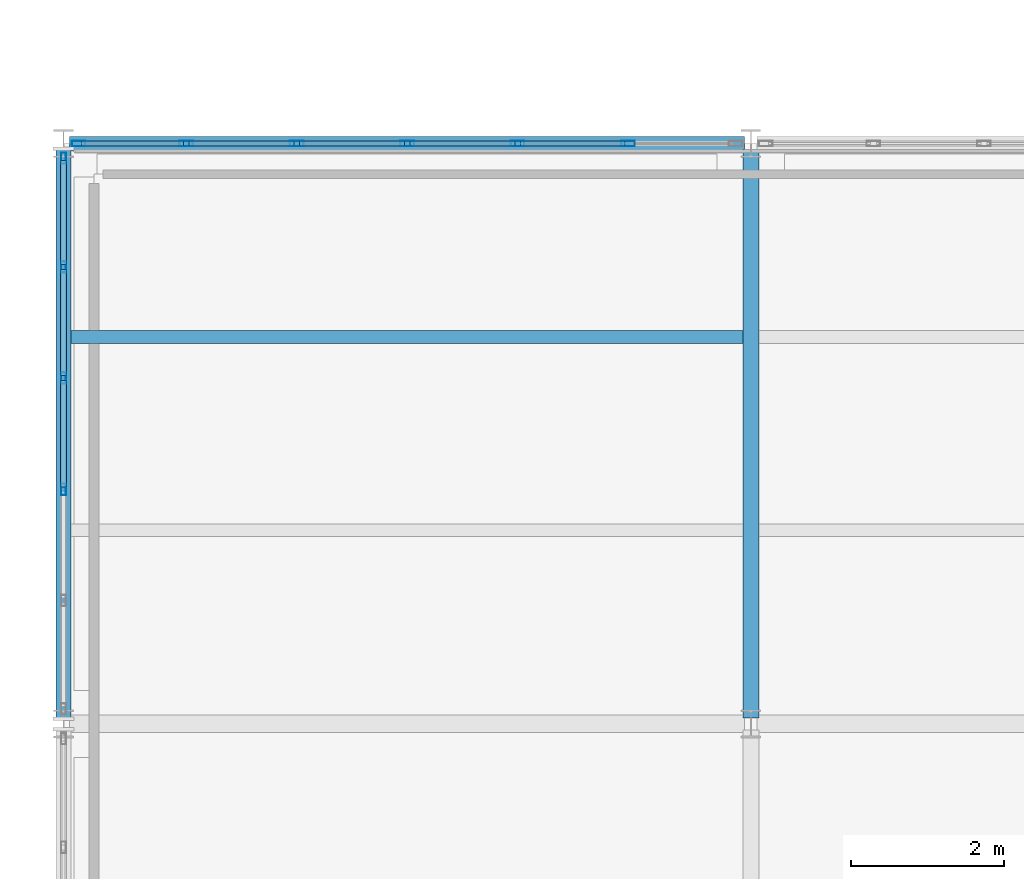
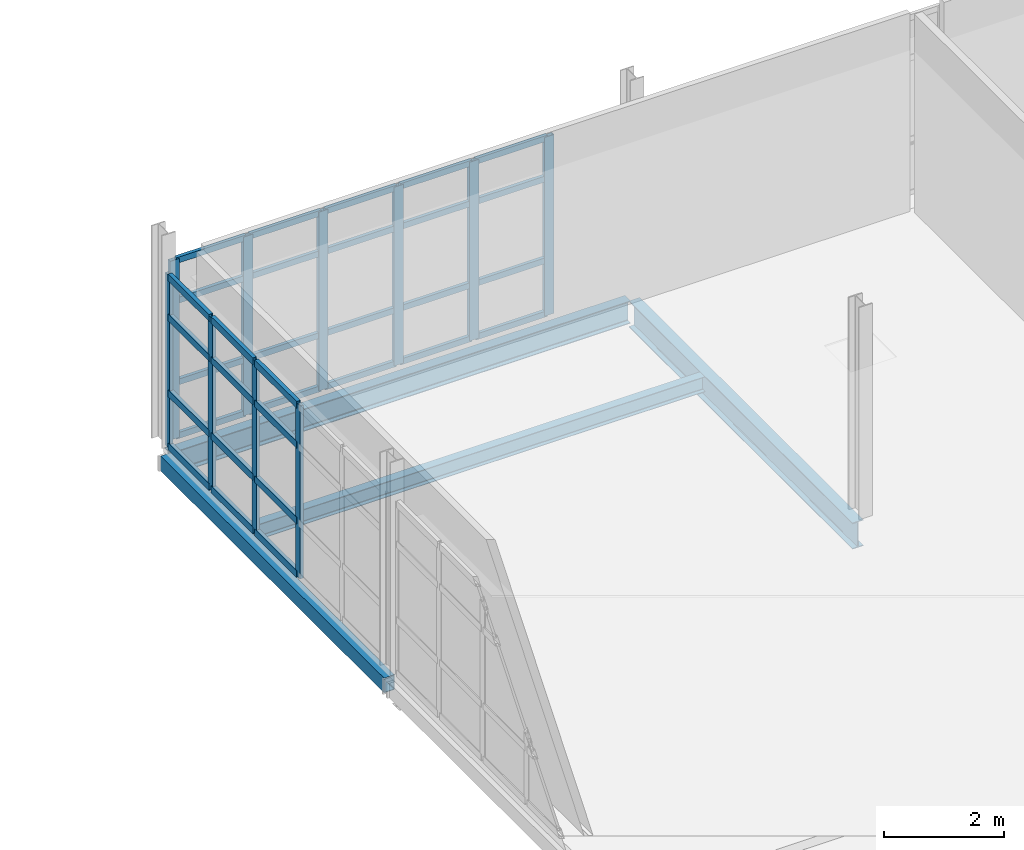
# One storey, part 42 of 174: 42 members, 4 beams, 2 elements without a shape of their own.
"""IFC4 building model written with IfcOpenShell, lengths in metres."""

from ifc_helpers import new_model, si_unit, direction, frame, origin, origin_2d, place, context, subcontext, project, spatial, hollow_rectangle, i_section, extrude, material, material_profile, profile_set, type_object, element, aggregate, save


model = new_model("IFC4")

# Units and contexts
model_context = context("Model", 3, precision=1e-05, world=origin(), true_north=direction((0.0, 1.0)))
body_context = subcontext(model_context, "Body", "Model", "MODEL_VIEW")
ifc_project = project(units=[si_unit("LENGTHUNIT", "METRE"), si_unit("AREAUNIT", "SQUARE_METRE"), si_unit("VOLUMEUNIT", "CUBIC_METRE"), si_unit("PLANEANGLEUNIT", "RADIAN"), si_unit("MASSUNIT", "GRAM", prefix="KILO")], contexts=[model_context])

# Site, building, storey
site_placement = place(None, origin())
site = spatial("IfcSite", under=ifc_project, at=site_placement, CompositionType="ELEMENT")
building_placement = place(site_placement, origin())
building = spatial("IfcBuilding", under=site, at=building_placement, Name="Caisbarro Railhouse Central Library", CompositionType="ELEMENT")
storey_placement = place(building_placement, frame((0.0, 0.0, 5.0400390625)))
storey = spatial("IfcBuildingStorey", under=building, at=storey_placement, Name="L01", CompositionType="ELEMENT", Elevation=5.0400390625)

# Beams
ifc_material_1 = material(Name="Steel ASTM A572 Grade 50", Category="steel")
ifc_material_profile_1 = material_profile(ifc_material_1, i_section(OverallWidth=0.208984375, OverallDepth=0.532958984375, WebThickness=0.01025390625, FlangeThickness=0.015625, FilletRadius=0.02001953125, at=origin_2d()), Name="W530X92.0")
ifc_profile_set_1 = profile_set([ifc_material_profile_1], Name="Steel ASTM A572 Grade 50")
beam_type_1 = type_object("IfcBeamType", Name="BM-G06", PredefinedType="BEAM", material=ifc_profile_set_1)
beam_1_placement = place(storey_placement, frame((9.0, 53.280029296875, -0.486572265625), z_axis=(0.0, 1.0, 0.0), x_axis=(-1.0, 0.0, 0.0)))
element("IfcBeam", 1, at=beam_1_placement, inside=storey, type_object=beam_type_1, Name="G06 beam L01 #832", PredefinedType="BEAM", context=body_context, shape_type="SweptSolid", body=[
    extrude(i_section(OverallWidth=0.208984375, OverallDepth=0.532958984375, WebThickness=0.01025390625, FlangeThickness=0.015625, FilletRadius=0.02001953125, at=origin_2d()), origin(), (0.0, 0.0, 1.0), 7.43994140625),
])
ifc_material_profile_2 = material_profile(ifc_material_1, i_section(OverallWidth=0.1650390625, OverallDepth=0.31005859375, WebThickness=0.005859375, FlangeThickness=0.009765625, FilletRadius=0.011962890625, at=origin_2d()), Name="W310X38.7")
ifc_profile_set_2 = profile_set([ifc_material_profile_2], Name="Steel ASTM A572 Grade 50")
beam_type_2 = type_object("IfcBeamType", Name="BM-J03", PredefinedType="JOIST", material=ifc_profile_set_2)
beam_2_placement = place(storey_placement, frame((0.10009765625, 58.2666015625, -0.375), z_axis=(1.0, 0.0, 0.0), x_axis=(0.0, 1.0, 0.0)))
element("IfcBeam", 2, at=beam_2_placement, inside=storey, type_object=beam_type_2, Name="J03 beam L01 #862", PredefinedType="JOIST", context=body_context, shape_type="SweptSolid", body=[
    extrude(i_section(OverallWidth=0.1650390625, OverallDepth=0.31005859375, WebThickness=0.005859375, FlangeThickness=0.009765625, FilletRadius=0.011962890625, at=origin_2d()), origin(), (0.0, 0.0, 1.0), 8.79541015625),
])
ifc_material_profile_3 = material_profile(ifc_material_1, i_section(OverallWidth=0.18994140625, OverallDepth=0.45703125, WebThickness=0.009033203125, FlangeThickness=0.014404296875, FilletRadius=0.01806640625, at=origin_2d()), Name="W460X74.0")
ifc_profile_set_3 = profile_set([ifc_material_profile_3], Name="Steel ASTM A572 Grade 50")
beam_type_3 = type_object("IfcBeamType", Name="BM-SP01", PredefinedType="SPANDREL", material=ifc_profile_set_3)
beam_3_placement = place(storey_placement, frame((0.080078125, 60.800048828125, -0.448486328125), z_axis=(1.0, 0.0, 0.0), x_axis=(0.0, 1.0, 0.0)))
element("IfcBeam", 3, at=beam_3_placement, inside=storey, type_object=beam_type_3, Name="SP01 beam L01 #817", PredefinedType="SPANDREL", context=body_context, shape_type="SweptSolid", body=[
    extrude(i_section(OverallWidth=0.18994140625, OverallDepth=0.45703125, WebThickness=0.009033203125, FlangeThickness=0.014404296875, FilletRadius=0.01806640625, at=origin_2d()), origin(), (0.0, 0.0, 1.0), 8.83984375),
])
ifc_material_profile_4 = material_profile(ifc_material_1, hollow_rectangle(XDim=0.199951171875, YDim=0.300048828125, WallThickness=0.012451171875, at=origin_2d()), Name="HSS300X200X12.5")
ifc_profile_set_4 = profile_set([ifc_material_profile_4], Name="Steel ASTM A572 Grade 50")
beam_type_4 = type_object("IfcBeamType", Name="BM-SP02", PredefinedType="SPANDREL", material=ifc_profile_set_4)
beam_4_placement = place(storey_placement, frame((0.0, 53.280029296875, -0.3701171875), z_axis=(0.0, 1.0, 0.0), x_axis=(-1.0, 0.0, 0.0)))
element("IfcBeam", 4, at=beam_4_placement, inside=storey, type_object=beam_type_4, Name="SP02 beam L01 #828", PredefinedType="SPANDREL", context=body_context, shape_type="SweptSolid", body=[
    extrude(hollow_rectangle(XDim=0.199951171875, YDim=0.300048828125, WallThickness=0.012451171875, at=origin_2d()), origin(), (0.0, 0.0, 1.0), 7.43994140625),
])

# Curtain wall, members
ifc_material_2 = material(Name="Anodised architectural aluminium", Category="aluminium")
curtain_wall_type = type_object("IfcCurtainWallType", Name="CW-CW02", PredefinedType="NOTDEFINED", material=ifc_material_2)
curtain_wall_1_placement = place(storey_placement, origin())
curtain_wall_1 = element("IfcCurtainWall", 5, at=curtain_wall_1_placement, inside=storey, type_object=curtain_wall_type, Name="CW02 curtain wall L01 #2", PredefinedType="NOTDEFINED")
ifc_material_profile_5 = material_profile(ifc_material_2, hollow_rectangle(XDim=0.074951171875, YDim=0.179931640625, WallThickness=0.00439453125, at=origin_2d()), Name="ALU-MUL-75X180")
ifc_profile_set_5 = profile_set([ifc_material_profile_5], Name="Anodised architectural aluminium")
member_type_1 = type_object("IfcMemberType", Name="CWM-M01", PredefinedType="MULLION", material=ifc_profile_set_5)
member_1_placement = place(storey_placement, frame((0.197509765625, 60.800048828125, 0.0), z_axis=(0.0, 0.0, 1.0), x_axis=(0.0, 1.0, 0.0)))
member_1 = element("IfcMember", 6, at=member_1_placement, type_object=member_type_1, Name="CW02 mullion 1", PredefinedType="MULLION", context=body_context, shape_type="SweptSolid", body=[
    extrude(hollow_rectangle(XDim=0.074951171875, YDim=0.179931640625, WallThickness=0.00439453125, at=origin_2d()), origin(), (0.0, 0.0, 1.0), 3.6298828125),
])
member_2_placement = place(storey_placement, frame((1.606689453125, 60.800048828125, 0.0), z_axis=(0.0, 0.0, 1.0), x_axis=(0.0, 1.0, 0.0)))
member_2 = element("IfcMember", 7, at=member_2_placement, type_object=member_type_1, Name="CW02 mullion 2", PredefinedType="MULLION", context=body_context, shape_type="SweptSolid", body=[
    extrude(hollow_rectangle(XDim=0.074951171875, YDim=0.179931640625, WallThickness=0.00439453125, at=origin_2d()), origin(), (0.0, 0.0, 1.0), 3.6298828125),
])
member_3_placement = place(storey_placement, frame((3.05322265625, 60.800048828125, 0.0), z_axis=(0.0, 0.0, 1.0), x_axis=(0.0, 1.0, 0.0)))
member_3 = element("IfcMember", 8, at=member_3_placement, type_object=member_type_1, Name="CW02 mullion 3", PredefinedType="MULLION", context=body_context, shape_type="SweptSolid", body=[
    extrude(hollow_rectangle(XDim=0.074951171875, YDim=0.179931640625, WallThickness=0.00439453125, at=origin_2d()), origin(), (0.0, 0.0, 1.0), 3.6298828125),
])
member_4_placement = place(storey_placement, frame((4.5, 60.800048828125, 0.0), z_axis=(0.0, 0.0, 1.0), x_axis=(0.0, 1.0, 0.0)))
member_4 = element("IfcMember", 9, at=member_4_placement, type_object=member_type_1, Name="CW02 mullion 4", PredefinedType="MULLION", context=body_context, shape_type="SweptSolid", body=[
    extrude(hollow_rectangle(XDim=0.074951171875, YDim=0.179931640625, WallThickness=0.00439453125, at=origin_2d()), origin(), (0.0, 0.0, 1.0), 3.6298828125),
])
member_5_placement = place(storey_placement, frame((5.94677734375, 60.800048828125, 0.0), z_axis=(0.0, 0.0, 1.0), x_axis=(0.0, 1.0, 0.0)))
member_5 = element("IfcMember", 10, at=member_5_placement, type_object=member_type_1, Name="CW02 mullion 5", PredefinedType="MULLION", context=body_context, shape_type="SweptSolid", body=[
    extrude(hollow_rectangle(XDim=0.074951171875, YDim=0.179931640625, WallThickness=0.00439453125, at=origin_2d()), origin(), (0.0, 0.0, 1.0), 3.6298828125),
])
member_6_placement = place(storey_placement, frame((7.393310546875, 60.800048828125, 0.0), z_axis=(0.0, 0.0, 1.0), x_axis=(0.0, 1.0, 0.0)))
member_6 = element("IfcMember", 11, at=member_6_placement, type_object=member_type_1, Name="CW02 mullion 6", PredefinedType="MULLION", context=body_context, shape_type="SweptSolid", body=[
    extrude(hollow_rectangle(XDim=0.074951171875, YDim=0.179931640625, WallThickness=0.00439453125, at=origin_2d()), origin(), (0.0, 0.0, 1.0), 3.6298828125),
])

curtain_wall_2_placement = place(storey_placement, origin())
curtain_wall_2 = element("IfcCurtainWall", 12, at=curtain_wall_2_placement, inside=storey, type_object=curtain_wall_type, Name="CW02 curtain wall L01 #29", PredefinedType="NOTDEFINED")
ifc_material_profile_6 = material_profile(ifc_material_2, hollow_rectangle(XDim=0.06494140625, YDim=0.14990234375, WallThickness=0.00390625, at=origin_2d()), Name="ALU-MUL-65X150")
ifc_profile_set_6 = profile_set([ifc_material_profile_6], Name="Anodised architectural aluminium")
member_type_2 = type_object("IfcMemberType", Name="CWM-M02", PredefinedType="MULLION", material=ifc_profile_set_6)
member_7_placement = place(storey_placement, frame((0.0, 56.27197265625, 0.0), z_axis=(0.0, 0.0, 1.0), x_axis=(-1.0, 0.0, 0.0)))
member_7 = element("IfcMember", 13, at=member_7_placement, type_object=member_type_2, Name="CW02 mullion 3", PredefinedType="MULLION", context=body_context, shape_type="SweptSolid", body=[
    extrude(hollow_rectangle(XDim=0.06494140625, YDim=0.14990234375, WallThickness=0.00390625, at=origin_2d()), origin(), (0.0, 0.0, 1.0), 3.510009765625),
])
member_8_placement = place(storey_placement, frame((0.0, 57.72802734375, 0.0), z_axis=(0.0, 0.0, 1.0), x_axis=(-1.0, 0.0, 0.0)))
member_8 = element("IfcMember", 14, at=member_8_placement, type_object=member_type_2, Name="CW02 mullion 4", PredefinedType="MULLION", context=body_context, shape_type="SweptSolid", body=[
    extrude(hollow_rectangle(XDim=0.06494140625, YDim=0.14990234375, WallThickness=0.00390625, at=origin_2d()), origin(), (0.0, 0.0, 1.0), 3.510009765625),
])
member_9_placement = place(storey_placement, frame((0.0, 59.18408203125, 0.0), z_axis=(0.0, 0.0, 1.0), x_axis=(-1.0, 0.0, 0.0)))
member_9 = element("IfcMember", 15, at=member_9_placement, type_object=member_type_2, Name="CW02 mullion 5", PredefinedType="MULLION", context=body_context, shape_type="SweptSolid", body=[
    extrude(hollow_rectangle(XDim=0.06494140625, YDim=0.14990234375, WallThickness=0.00390625, at=origin_2d()), origin(), (0.0, 0.0, 1.0), 3.510009765625),
])
member_10_placement = place(storey_placement, frame((0.0, 60.607421875, 0.0), z_axis=(0.0, 0.0, 1.0), x_axis=(-1.0, 0.0, 0.0)))
member_10 = element("IfcMember", 16, at=member_10_placement, type_object=member_type_2, Name="CW02 mullion 6", PredefinedType="MULLION", context=body_context, shape_type="SweptSolid", body=[
    extrude(hollow_rectangle(XDim=0.06494140625, YDim=0.14990234375, WallThickness=0.00390625, at=origin_2d()), origin(), (0.0, 0.0, 1.0), 3.510009765625),
])
ifc_material_profile_7 = material_profile(ifc_material_2, hollow_rectangle(XDim=0.074951171875, YDim=0.139892578125, WallThickness=0.00390625, at=origin_2d()), Name="ALU-TRN-75X140")
ifc_profile_set_7 = profile_set([ifc_material_profile_7], Name="Anodised architectural aluminium")
member_type_3 = type_object("IfcMemberType", Name="CWT-T01", PredefinedType="USERDEFINED", material=ifc_profile_set_7)
member_11_placement = place(storey_placement, frame((0.0, 56.304443359375, 0.037353515625), z_axis=(0.0, 1.0, 0.0), x_axis=(-1.0, 0.0, 0.0)))
member_11 = element("IfcMember", 17, at=member_11_placement, type_object=member_type_3, Name="CW02 transom 3.1", ObjectType="TRANSOM", PredefinedType="USERDEFINED", context=body_context, shape_type="SweptSolid", body=[
    extrude(hollow_rectangle(XDim=0.074951171875, YDim=0.139892578125, WallThickness=0.00390625, at=origin_2d()), origin(), (0.0, 0.0, 1.0), 1.39111328125),
])
member_12_placement = place(storey_placement, frame((0.0, 56.304443359375, 1.119873046875), z_axis=(0.0, 1.0, 0.0), x_axis=(-1.0, 0.0, 0.0)))
member_12 = element("IfcMember", 18, at=member_12_placement, type_object=member_type_3, Name="CW02 transom 3.2", ObjectType="TRANSOM", PredefinedType="USERDEFINED", context=body_context, shape_type="SweptSolid", body=[
    extrude(hollow_rectangle(XDim=0.074951171875, YDim=0.139892578125, WallThickness=0.00390625, at=origin_2d()), origin(), (0.0, 0.0, 1.0), 1.39111328125),
])
member_13_placement = place(storey_placement, frame((0.0, 56.304443359375, 2.659912109375), z_axis=(0.0, 1.0, 0.0), x_axis=(-1.0, 0.0, 0.0)))
member_13 = element("IfcMember", 19, at=member_13_placement, type_object=member_type_3, Name="CW02 transom 3.3", ObjectType="TRANSOM", PredefinedType="USERDEFINED", context=body_context, shape_type="SweptSolid", body=[
    extrude(hollow_rectangle(XDim=0.074951171875, YDim=0.139892578125, WallThickness=0.00390625, at=origin_2d()), origin(), (0.0, 0.0, 1.0), 1.39111328125),
])
member_14_placement = place(storey_placement, frame((0.0, 56.304443359375, 3.472412109375), z_axis=(0.0, 1.0, 0.0), x_axis=(-1.0, 0.0, 0.0)))
member_14 = element("IfcMember", 20, at=member_14_placement, type_object=member_type_3, Name="CW02 transom 3.4", ObjectType="TRANSOM", PredefinedType="USERDEFINED", context=body_context, shape_type="SweptSolid", body=[
    extrude(hollow_rectangle(XDim=0.074951171875, YDim=0.139892578125, WallThickness=0.00390625, at=origin_2d()), origin(), (0.0, 0.0, 1.0), 1.39111328125),
])
member_15_placement = place(storey_placement, frame((0.0, 57.760498046875, 0.037353515625), z_axis=(0.0, 1.0, 0.0), x_axis=(-1.0, 0.0, 0.0)))
member_15 = element("IfcMember", 21, at=member_15_placement, type_object=member_type_3, Name="CW02 transom 4.1", ObjectType="TRANSOM", PredefinedType="USERDEFINED", context=body_context, shape_type="SweptSolid", body=[
    extrude(hollow_rectangle(XDim=0.074951171875, YDim=0.139892578125, WallThickness=0.00390625, at=origin_2d()), origin(), (0.0, 0.0, 1.0), 1.39111328125),
])
member_16_placement = place(storey_placement, frame((0.0, 57.760498046875, 1.119873046875), z_axis=(0.0, 1.0, 0.0), x_axis=(-1.0, 0.0, 0.0)))
member_16 = element("IfcMember", 22, at=member_16_placement, type_object=member_type_3, Name="CW02 transom 4.2", ObjectType="TRANSOM", PredefinedType="USERDEFINED", context=body_context, shape_type="SweptSolid", body=[
    extrude(hollow_rectangle(XDim=0.074951171875, YDim=0.139892578125, WallThickness=0.00390625, at=origin_2d()), origin(), (0.0, 0.0, 1.0), 1.39111328125),
])
member_17_placement = place(storey_placement, frame((0.0, 57.760498046875, 2.659912109375), z_axis=(0.0, 1.0, 0.0), x_axis=(-1.0, 0.0, 0.0)))
member_17 = element("IfcMember", 23, at=member_17_placement, type_object=member_type_3, Name="CW02 transom 4.3", ObjectType="TRANSOM", PredefinedType="USERDEFINED", context=body_context, shape_type="SweptSolid", body=[
    extrude(hollow_rectangle(XDim=0.074951171875, YDim=0.139892578125, WallThickness=0.00390625, at=origin_2d()), origin(), (0.0, 0.0, 1.0), 1.39111328125),
])
member_18_placement = place(storey_placement, frame((0.0, 57.760498046875, 3.472412109375), z_axis=(0.0, 1.0, 0.0), x_axis=(-1.0, 0.0, 0.0)))
member_18 = element("IfcMember", 24, at=member_18_placement, type_object=member_type_3, Name="CW02 transom 4.4", ObjectType="TRANSOM", PredefinedType="USERDEFINED", context=body_context, shape_type="SweptSolid", body=[
    extrude(hollow_rectangle(XDim=0.074951171875, YDim=0.139892578125, WallThickness=0.00390625, at=origin_2d()), origin(), (0.0, 0.0, 1.0), 1.39111328125),
])
member_19_placement = place(storey_placement, frame((0.0, 59.216552734375, 0.037353515625), z_axis=(0.0, 1.0, 0.0), x_axis=(-1.0, 0.0, 0.0)))
member_19 = element("IfcMember", 25, at=member_19_placement, type_object=member_type_3, Name="CW02 transom 5.1", ObjectType="TRANSOM", PredefinedType="USERDEFINED", context=body_context, shape_type="SweptSolid", body=[
    extrude(hollow_rectangle(XDim=0.074951171875, YDim=0.139892578125, WallThickness=0.00390625, at=origin_2d()), origin(), (0.0, 0.0, 1.0), 1.3583984375),
])
member_20_placement = place(storey_placement, frame((0.0, 59.216552734375, 1.119873046875), z_axis=(0.0, 1.0, 0.0), x_axis=(-1.0, 0.0, 0.0)))
member_20 = element("IfcMember", 26, at=member_20_placement, type_object=member_type_3, Name="CW02 transom 5.2", ObjectType="TRANSOM", PredefinedType="USERDEFINED", context=body_context, shape_type="SweptSolid", body=[
    extrude(hollow_rectangle(XDim=0.074951171875, YDim=0.139892578125, WallThickness=0.00390625, at=origin_2d()), origin(), (0.0, 0.0, 1.0), 1.3583984375),
])
member_21_placement = place(storey_placement, frame((0.0, 59.216552734375, 2.659912109375), z_axis=(0.0, 1.0, 0.0), x_axis=(-1.0, 0.0, 0.0)))
member_21 = element("IfcMember", 27, at=member_21_placement, type_object=member_type_3, Name="CW02 transom 5.3", ObjectType="TRANSOM", PredefinedType="USERDEFINED", context=body_context, shape_type="SweptSolid", body=[
    extrude(hollow_rectangle(XDim=0.074951171875, YDim=0.139892578125, WallThickness=0.00390625, at=origin_2d()), origin(), (0.0, 0.0, 1.0), 1.3583984375),
])
member_22_placement = place(storey_placement, frame((0.0, 59.216552734375, 3.472412109375), z_axis=(0.0, 1.0, 0.0), x_axis=(-1.0, 0.0, 0.0)))
member_22 = element("IfcMember", 28, at=member_22_placement, type_object=member_type_3, Name="CW02 transom 5.4", ObjectType="TRANSOM", PredefinedType="USERDEFINED", context=body_context, shape_type="SweptSolid", body=[
    extrude(hollow_rectangle(XDim=0.074951171875, YDim=0.139892578125, WallThickness=0.00390625, at=origin_2d()), origin(), (0.0, 0.0, 1.0), 1.3583984375),
])
aggregate(curtain_wall_2, [member_7, member_8, member_9, member_10, member_11, member_12, member_13, member_14, member_15, member_16, member_17, member_18, member_19, member_20, member_21, member_22])

# Member
ifc_material_profile_8 = material_profile(ifc_material_2, hollow_rectangle(XDim=0.06494140625, YDim=0.1201171875, WallThickness=0.00341796875, at=origin_2d()), Name="ALU-TRN-65X120")
ifc_profile_set_8 = profile_set([ifc_material_profile_8], Name="Anodised architectural aluminium")
member_type_4 = type_object("IfcMemberType", Name="CWT-T02", PredefinedType="USERDEFINED", material=ifc_profile_set_8)
member_23_placement = place(storey_placement, frame((0.235107421875, 60.800048828125, 0.032470703125), z_axis=(1.0, 0.0, 0.0), x_axis=(0.0, 1.0, 0.0)))
member_23 = element("IfcMember", 29, at=member_23_placement, type_object=member_type_4, Name="CW02 transom 1.1", ObjectType="TRANSOM", PredefinedType="USERDEFINED", context=body_context, shape_type="SweptSolid", body=[
    extrude(hollow_rectangle(XDim=0.06494140625, YDim=0.1201171875, WallThickness=0.00341796875, at=origin_2d()), origin(), (0.0, 0.0, 1.0), 1.333984375),
])

member_24_placement = place(storey_placement, frame((0.235107421875, 60.800048828125, 1.119873046875), z_axis=(1.0, 0.0, 0.0), x_axis=(0.0, 1.0, 0.0)))
member_24 = element("IfcMember", 30, at=member_24_placement, type_object=member_type_4, Name="CW02 transom 1.2", ObjectType="TRANSOM", PredefinedType="USERDEFINED", context=body_context, shape_type="SweptSolid", body=[
    extrude(hollow_rectangle(XDim=0.06494140625, YDim=0.1201171875, WallThickness=0.00341796875, at=origin_2d()), origin(), (0.0, 0.0, 1.0), 1.333984375),
])

member_25_placement = place(storey_placement, frame((0.235107421875, 60.800048828125, 2.780029296875), z_axis=(1.0, 0.0, 0.0), x_axis=(0.0, 1.0, 0.0)))
member_25 = element("IfcMember", 31, at=member_25_placement, type_object=member_type_4, Name="CW02 transom 1.3", ObjectType="TRANSOM", PredefinedType="USERDEFINED", context=body_context, shape_type="SweptSolid", body=[
    extrude(hollow_rectangle(XDim=0.06494140625, YDim=0.1201171875, WallThickness=0.00341796875, at=origin_2d()), origin(), (0.0, 0.0, 1.0), 1.333984375),
])

member_26_placement = place(storey_placement, frame((0.235107421875, 60.800048828125, 3.597412109375), z_axis=(1.0, 0.0, 0.0), x_axis=(0.0, 1.0, 0.0)))
member_26 = element("IfcMember", 32, at=member_26_placement, type_object=member_type_4, Name="CW02 transom 1.4", ObjectType="TRANSOM", PredefinedType="USERDEFINED", context=body_context, shape_type="SweptSolid", body=[
    extrude(hollow_rectangle(XDim=0.06494140625, YDim=0.1201171875, WallThickness=0.00341796875, at=origin_2d()), origin(), (0.0, 0.0, 1.0), 1.333984375),
])

member_27_placement = place(storey_placement, frame((1.644287109375, 60.800048828125, 0.032470703125), z_axis=(1.0, 0.0, 0.0), x_axis=(0.0, 1.0, 0.0)))
member_27 = element("IfcMember", 33, at=member_27_placement, type_object=member_type_4, Name="CW02 transom 2.1", ObjectType="TRANSOM", PredefinedType="USERDEFINED", context=body_context, shape_type="SweptSolid", body=[
    extrude(hollow_rectangle(XDim=0.06494140625, YDim=0.1201171875, WallThickness=0.00341796875, at=origin_2d()), origin(), (0.0, 0.0, 1.0), 1.37158203125),
])

member_28_placement = place(storey_placement, frame((1.644287109375, 60.800048828125, 1.119873046875), z_axis=(1.0, 0.0, 0.0), x_axis=(0.0, 1.0, 0.0)))
member_28 = element("IfcMember", 34, at=member_28_placement, type_object=member_type_4, Name="CW02 transom 2.2", ObjectType="TRANSOM", PredefinedType="USERDEFINED", context=body_context, shape_type="SweptSolid", body=[
    extrude(hollow_rectangle(XDim=0.06494140625, YDim=0.1201171875, WallThickness=0.00341796875, at=origin_2d()), origin(), (0.0, 0.0, 1.0), 1.37158203125),
])

member_29_placement = place(storey_placement, frame((1.644287109375, 60.800048828125, 2.780029296875), z_axis=(1.0, 0.0, 0.0), x_axis=(0.0, 1.0, 0.0)))
member_29 = element("IfcMember", 35, at=member_29_placement, type_object=member_type_4, Name="CW02 transom 2.3", ObjectType="TRANSOM", PredefinedType="USERDEFINED", context=body_context, shape_type="SweptSolid", body=[
    extrude(hollow_rectangle(XDim=0.06494140625, YDim=0.1201171875, WallThickness=0.00341796875, at=origin_2d()), origin(), (0.0, 0.0, 1.0), 1.37158203125),
])

member_30_placement = place(storey_placement, frame((1.644287109375, 60.800048828125, 3.597412109375), z_axis=(1.0, 0.0, 0.0), x_axis=(0.0, 1.0, 0.0)))
member_30 = element("IfcMember", 36, at=member_30_placement, type_object=member_type_4, Name="CW02 transom 2.4", ObjectType="TRANSOM", PredefinedType="USERDEFINED", context=body_context, shape_type="SweptSolid", body=[
    extrude(hollow_rectangle(XDim=0.06494140625, YDim=0.1201171875, WallThickness=0.00341796875, at=origin_2d()), origin(), (0.0, 0.0, 1.0), 1.37158203125),
])

member_31_placement = place(storey_placement, frame((3.0908203125, 60.800048828125, 0.032470703125), z_axis=(1.0, 0.0, 0.0), x_axis=(0.0, 1.0, 0.0)))
member_31 = element("IfcMember", 37, at=member_31_placement, type_object=member_type_4, Name="CW02 transom 3.1", ObjectType="TRANSOM", PredefinedType="USERDEFINED", context=body_context, shape_type="SweptSolid", body=[
    extrude(hollow_rectangle(XDim=0.06494140625, YDim=0.1201171875, WallThickness=0.00341796875, at=origin_2d()), origin(), (0.0, 0.0, 1.0), 1.37158203125),
])

member_32_placement = place(storey_placement, frame((3.0908203125, 60.800048828125, 1.119873046875), z_axis=(1.0, 0.0, 0.0), x_axis=(0.0, 1.0, 0.0)))
member_32 = element("IfcMember", 38, at=member_32_placement, type_object=member_type_4, Name="CW02 transom 3.2", ObjectType="TRANSOM", PredefinedType="USERDEFINED", context=body_context, shape_type="SweptSolid", body=[
    extrude(hollow_rectangle(XDim=0.06494140625, YDim=0.1201171875, WallThickness=0.00341796875, at=origin_2d()), origin(), (0.0, 0.0, 1.0), 1.37158203125),
])

member_33_placement = place(storey_placement, frame((3.0908203125, 60.800048828125, 2.780029296875), z_axis=(1.0, 0.0, 0.0), x_axis=(0.0, 1.0, 0.0)))
member_33 = element("IfcMember", 39, at=member_33_placement, type_object=member_type_4, Name="CW02 transom 3.3", ObjectType="TRANSOM", PredefinedType="USERDEFINED", context=body_context, shape_type="SweptSolid", body=[
    extrude(hollow_rectangle(XDim=0.06494140625, YDim=0.1201171875, WallThickness=0.00341796875, at=origin_2d()), origin(), (0.0, 0.0, 1.0), 1.37158203125),
])

member_34_placement = place(storey_placement, frame((3.0908203125, 60.800048828125, 3.597412109375), z_axis=(1.0, 0.0, 0.0), x_axis=(0.0, 1.0, 0.0)))
member_34 = element("IfcMember", 40, at=member_34_placement, type_object=member_type_4, Name="CW02 transom 3.4", ObjectType="TRANSOM", PredefinedType="USERDEFINED", context=body_context, shape_type="SweptSolid", body=[
    extrude(hollow_rectangle(XDim=0.06494140625, YDim=0.1201171875, WallThickness=0.00341796875, at=origin_2d()), origin(), (0.0, 0.0, 1.0), 1.37158203125),
])

member_35_placement = place(storey_placement, frame((4.53759765625, 60.800048828125, 0.032470703125), z_axis=(1.0, 0.0, 0.0), x_axis=(0.0, 1.0, 0.0)))
member_35 = element("IfcMember", 41, at=member_35_placement, type_object=member_type_4, Name="CW02 transom 4.1", ObjectType="TRANSOM", PredefinedType="USERDEFINED", context=body_context, shape_type="SweptSolid", body=[
    extrude(hollow_rectangle(XDim=0.06494140625, YDim=0.1201171875, WallThickness=0.00341796875, at=origin_2d()), origin(), (0.0, 0.0, 1.0), 1.37158203125),
])

member_36_placement = place(storey_placement, frame((4.53759765625, 60.800048828125, 1.119873046875), z_axis=(1.0, 0.0, 0.0), x_axis=(0.0, 1.0, 0.0)))
member_36 = element("IfcMember", 42, at=member_36_placement, type_object=member_type_4, Name="CW02 transom 4.2", ObjectType="TRANSOM", PredefinedType="USERDEFINED", context=body_context, shape_type="SweptSolid", body=[
    extrude(hollow_rectangle(XDim=0.06494140625, YDim=0.1201171875, WallThickness=0.00341796875, at=origin_2d()), origin(), (0.0, 0.0, 1.0), 1.37158203125),
])

member_37_placement = place(storey_placement, frame((4.53759765625, 60.800048828125, 2.780029296875), z_axis=(1.0, 0.0, 0.0), x_axis=(0.0, 1.0, 0.0)))
member_37 = element("IfcMember", 43, at=member_37_placement, type_object=member_type_4, Name="CW02 transom 4.3", ObjectType="TRANSOM", PredefinedType="USERDEFINED", context=body_context, shape_type="SweptSolid", body=[
    extrude(hollow_rectangle(XDim=0.06494140625, YDim=0.1201171875, WallThickness=0.00341796875, at=origin_2d()), origin(), (0.0, 0.0, 1.0), 1.37158203125),
])

member_38_placement = place(storey_placement, frame((4.53759765625, 60.800048828125, 3.597412109375), z_axis=(1.0, 0.0, 0.0), x_axis=(0.0, 1.0, 0.0)))
member_38 = element("IfcMember", 44, at=member_38_placement, type_object=member_type_4, Name="CW02 transom 4.4", ObjectType="TRANSOM", PredefinedType="USERDEFINED", context=body_context, shape_type="SweptSolid", body=[
    extrude(hollow_rectangle(XDim=0.06494140625, YDim=0.1201171875, WallThickness=0.00341796875, at=origin_2d()), origin(), (0.0, 0.0, 1.0), 1.37158203125),
])

member_39_placement = place(storey_placement, frame((5.984130859375, 60.800048828125, 0.032470703125), z_axis=(1.0, 0.0, 0.0), x_axis=(0.0, 1.0, 0.0)))
member_39 = element("IfcMember", 45, at=member_39_placement, type_object=member_type_4, Name="CW02 transom 5.1", ObjectType="TRANSOM", PredefinedType="USERDEFINED", context=body_context, shape_type="SweptSolid", body=[
    extrude(hollow_rectangle(XDim=0.06494140625, YDim=0.1201171875, WallThickness=0.00341796875, at=origin_2d()), origin(), (0.0, 0.0, 1.0), 1.37158203125),
])

member_40_placement = place(storey_placement, frame((5.984130859375, 60.800048828125, 1.119873046875), z_axis=(1.0, 0.0, 0.0), x_axis=(0.0, 1.0, 0.0)))
member_40 = element("IfcMember", 46, at=member_40_placement, type_object=member_type_4, Name="CW02 transom 5.2", ObjectType="TRANSOM", PredefinedType="USERDEFINED", context=body_context, shape_type="SweptSolid", body=[
    extrude(hollow_rectangle(XDim=0.06494140625, YDim=0.1201171875, WallThickness=0.00341796875, at=origin_2d()), origin(), (0.0, 0.0, 1.0), 1.37158203125),
])

member_41_placement = place(storey_placement, frame((5.984130859375, 60.800048828125, 2.780029296875), z_axis=(1.0, 0.0, 0.0), x_axis=(0.0, 1.0, 0.0)))
member_41 = element("IfcMember", 47, at=member_41_placement, type_object=member_type_4, Name="CW02 transom 5.3", ObjectType="TRANSOM", PredefinedType="USERDEFINED", context=body_context, shape_type="SweptSolid", body=[
    extrude(hollow_rectangle(XDim=0.06494140625, YDim=0.1201171875, WallThickness=0.00341796875, at=origin_2d()), origin(), (0.0, 0.0, 1.0), 1.37158203125),
])

member_42_placement = place(storey_placement, frame((5.984130859375, 60.800048828125, 3.597412109375), z_axis=(1.0, 0.0, 0.0), x_axis=(0.0, 1.0, 0.0)))
member_42 = element("IfcMember", 48, at=member_42_placement, type_object=member_type_4, Name="CW02 transom 5.4", ObjectType="TRANSOM", PredefinedType="USERDEFINED", context=body_context, shape_type="SweptSolid", body=[
    extrude(hollow_rectangle(XDim=0.06494140625, YDim=0.1201171875, WallThickness=0.00341796875, at=origin_2d()), origin(), (0.0, 0.0, 1.0), 1.37158203125),
])

aggregate(curtain_wall_1, [member_1, member_2, member_3, member_4, member_5, member_6, member_23, member_24, member_25, member_26, member_27, member_28, member_29, member_30, member_31, member_32, member_33, member_34, member_35, member_36, member_37, member_38, member_39, member_40, member_41, member_42])

save(model, "model.ifc")
